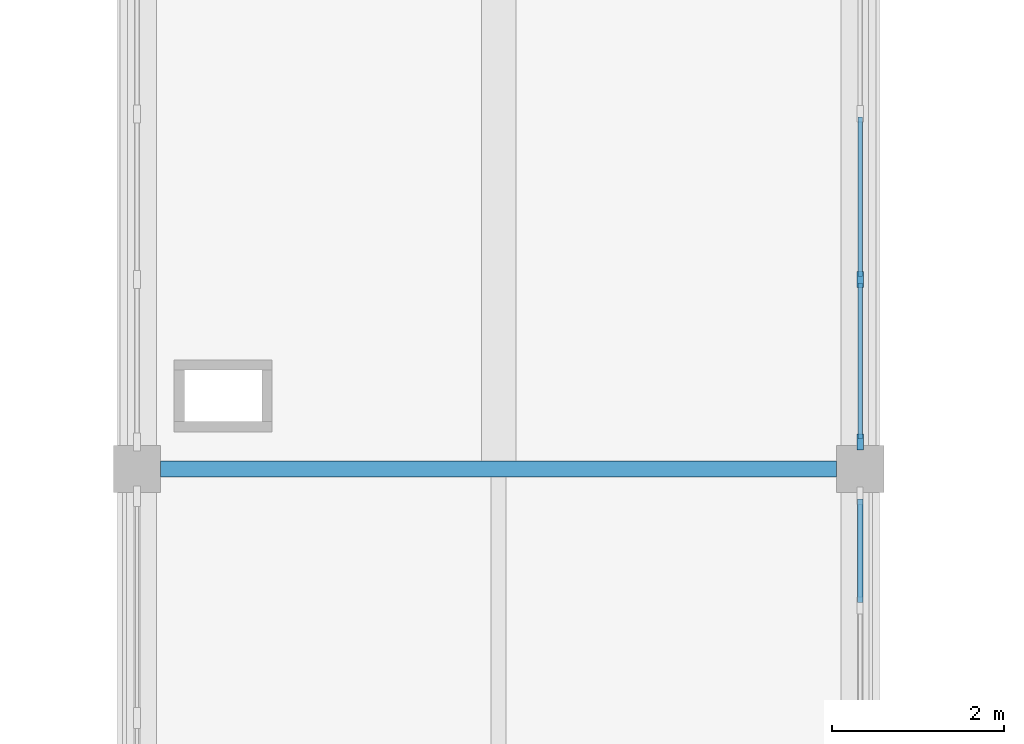
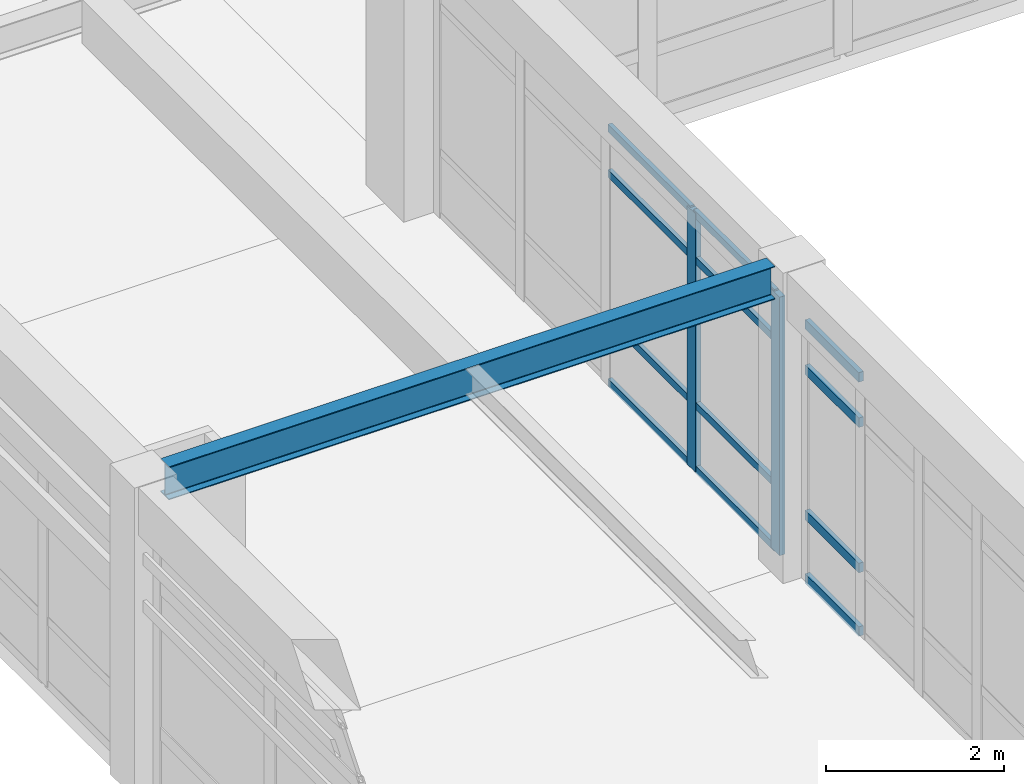
# One storey, part 25 of 78: 14 members, 1 beam, 2 elements without a shape of their own.
"""IFC4 building model written with IfcOpenShell, lengths in metres."""

from ifc_helpers import new_model, si_unit, direction, frame, origin, origin_2d, place, context, subcontext, project, spatial, rectangle, i_section, extrude, material, layer, layer_set, material_profile, profile_set, type_object, element, aggregate, save


model = new_model("IFC4")

# Units and contexts
model_context = context("Model", 3, precision=1e-05, world=origin(), true_north=direction((0.0, 1.0)))
body_context = subcontext(model_context, "Body", "Model", "MODEL_VIEW")
ifc_project = project(units=[si_unit("LENGTHUNIT", "METRE"), si_unit("AREAUNIT", "SQUARE_METRE"), si_unit("VOLUMEUNIT", "CUBIC_METRE"), si_unit("PLANEANGLEUNIT", "RADIAN"), si_unit("MASSUNIT", "GRAM", prefix="KILO")], contexts=[model_context])

# Site, building, storey
site_placement = place(None, origin())
site = spatial("IfcSite", under=ifc_project, at=site_placement, CompositionType="ELEMENT")
building_placement = place(site_placement, origin())
building = spatial("IfcBuilding", under=site, at=building_placement, Name="Porcellanite Civic Hall", CompositionType="ELEMENT")
storey_placement = place(building_placement, frame((0.0, 0.0, 10.260009765625)))
storey = spatial("IfcBuildingStorey", under=building, at=storey_placement, Name="L02", CompositionType="ELEMENT", Elevation=10.260009765625)

# Curtain wall, members
ifc_material_1 = material(Name="Anodised aluminium and solar laminated glass", Category="aluminium")
ifc_layer_1 = layer(ifc_material_1, 0.179931640625)
ifc_layer_set_1 = layer_set([ifc_layer_1], Name="Anodised aluminium and solar laminated glass")
curtain_wall_type_1 = type_object("IfcCurtainWallType", Name="CW-SYS04", PredefinedType="NOTDEFINED", material=ifc_layer_set_1)
curtain_wall_1_placement = place(storey_placement, origin())
curtain_wall_1 = element("IfcCurtainWall", 1, at=curtain_wall_1_placement, inside=storey, type_object=curtain_wall_type_1, Name="Curtain wall CW-169", PredefinedType="NOTDEFINED")
ifc_material_2 = material(Name="Anodised aluminium 6063-T6", Category="aluminium")
ifc_material_profile_1 = material_profile(ifc_material_2, rectangle(XDim=0.074951171875, YDim=0.18994140625, at=origin_2d()), Name="AL-75x190")
ifc_profile_set_1 = profile_set([ifc_material_profile_1], Name="Anodised aluminium 6063-T6")
member_type_1 = type_object("IfcMemberType", Name="CWM-04", PredefinedType="MULLION", material=ifc_profile_set_1)
member_1_placement = place(storey_placement, frame((126.0, 94.6005859375, 0.0), z_axis=(0.0, 0.0, 1.0), x_axis=(1.0, 0.0, 0.0)))
member_1 = element("IfcMember", 2, at=member_1_placement, type_object=member_type_1, Name="CW-169 mullion 4", PredefinedType="MULLION", context=body_context, shape_type="SweptSolid", body=[
    extrude(rectangle(XDim=0.074951171875, YDim=0.18994140625, at=origin_2d()), origin(), (0.0, 0.0, 1.0), 3.5400390625),
])
member_2_placement = place(storey_placement, frame((126.0, 92.71337890625, 0.0), z_axis=(0.0, 0.0, 1.0), x_axis=(1.0, 0.0, 0.0)))
member_2 = element("IfcMember", 3, at=member_2_placement, type_object=member_type_1, Name="CW-169 mullion 5", PredefinedType="MULLION", context=body_context, shape_type="SweptSolid", body=[
    extrude(rectangle(XDim=0.074951171875, YDim=0.18994140625, at=origin_2d()), origin(), (0.0, 0.0, 1.0), 3.5400390625),
])

ifc_material_3 = material(Name="Anodised aluminium and solar laminated glass", Category="aluminium")
ifc_layer_2 = layer(ifc_material_3, 0.179931640625)
ifc_layer_set_2 = layer_set([ifc_layer_2], Name="Anodised aluminium and solar laminated glass")
curtain_wall_type_2 = type_object("IfcCurtainWallType", Name="CW-SYS01", PredefinedType="NOTDEFINED", material=ifc_layer_set_2)
curtain_wall_2_placement = place(storey_placement, origin())
curtain_wall_2 = element("IfcCurtainWall", 4, at=curtain_wall_2_placement, inside=storey, type_object=curtain_wall_type_2, Name="Curtain wall CW-167", PredefinedType="NOTDEFINED")
ifc_material_4 = material(Name="Anodised aluminium 6063-T6", Category="aluminium")
ifc_material_profile_2 = material_profile(ifc_material_4, rectangle(XDim=0.06005859375, YDim=0.1298828125, at=origin_2d()), Name="AL-60x130")
ifc_profile_set_2 = profile_set([ifc_material_profile_2], Name="Anodised aluminium 6063-T6")
member_type_2 = type_object("IfcMemberType", Name="CWT-03", PredefinedType="USERDEFINED", material=ifc_profile_set_2)
member_3_placement = place(storey_placement, frame((126.0, 92.053955078125, 0.030029296875), z_axis=(0.0, -1.0, 0.0), x_axis=(1.0, 0.0, 0.0)))
member_3 = element("IfcMember", 5, at=member_3_placement, type_object=member_type_2, Name="CW-167 transom 1.1", ObjectType="TRANSOM", PredefinedType="USERDEFINED", context=body_context, shape_type="SweptSolid", body=[
    extrude(rectangle(XDim=0.06005859375, YDim=0.1298828125, at=origin_2d()), origin(), (0.0, 0.0, 1.0), 1.202880859375),
])
member_4_placement = place(storey_placement, frame((126.0, 92.053955078125, 0.89990234375), z_axis=(0.0, -1.0, 0.0), x_axis=(1.0, 0.0, 0.0)))
member_4 = element("IfcMember", 6, at=member_4_placement, type_object=member_type_2, Name="CW-167 transom 1.2", ObjectType="TRANSOM", PredefinedType="USERDEFINED", context=body_context, shape_type="SweptSolid", body=[
    extrude(rectangle(XDim=0.06005859375, YDim=0.1298828125, at=origin_2d()), origin(), (0.0, 0.0, 1.0), 1.202880859375),
])
member_5_placement = place(storey_placement, frame((126.0, 92.053955078125, 2.889892578125), z_axis=(0.0, -1.0, 0.0), x_axis=(1.0, 0.0, 0.0)))
member_5 = element("IfcMember", 7, at=member_5_placement, type_object=member_type_2, Name="CW-167 transom 1.3", ObjectType="TRANSOM", PredefinedType="USERDEFINED", context=body_context, shape_type="SweptSolid", body=[
    extrude(rectangle(XDim=0.06005859375, YDim=0.1298828125, at=origin_2d()), origin(), (0.0, 0.0, 1.0), 1.202880859375),
])
member_6_placement = place(storey_placement, frame((126.0, 92.053955078125, 3.510009765625), z_axis=(0.0, -1.0, 0.0), x_axis=(1.0, 0.0, 0.0)))
member_6 = element("IfcMember", 8, at=member_6_placement, type_object=member_type_2, Name="CW-167 transom 1.4", ObjectType="TRANSOM", PredefinedType="USERDEFINED", context=body_context, shape_type="SweptSolid", body=[
    extrude(rectangle(XDim=0.06005859375, YDim=0.1298828125, at=origin_2d()), origin(), (0.0, 0.0, 1.0), 1.202880859375),
])
aggregate(curtain_wall_2, [member_3, member_4, member_5, member_6])

# Member
ifc_material_5 = material(Name="Anodised aluminium 6063-T6", Category="aluminium")
ifc_material_profile_3 = material_profile(ifc_material_5, rectangle(XDim=0.054931640625, YDim=0.10009765625, at=origin_2d()), Name="AL-55x100")
ifc_profile_set_3 = profile_set([ifc_material_profile_3], Name="Anodised aluminium 6063-T6")
member_type_3 = type_object("IfcMemberType", Name="CWT-05", PredefinedType="USERDEFINED", material=ifc_profile_set_3)
member_7_placement = place(storey_placement, frame((126.0, 96.487548828125, 0.027587890625), z_axis=(0.0, -1.0, 0.0), x_axis=(1.0, 0.0, 0.0)))
member_7 = element("IfcMember", 9, at=member_7_placement, type_object=member_type_3, Name="CW-169 transom 3.1", ObjectType="TRANSOM", PredefinedType="USERDEFINED", context=body_context, shape_type="SweptSolid", body=[
    extrude(rectangle(XDim=0.054931640625, YDim=0.10009765625, at=origin_2d()), origin(), (0.0, 0.0, 1.0), 1.849609375),
])

member_8_placement = place(storey_placement, frame((126.0, 96.487548828125, 0.89990234375), z_axis=(0.0, -1.0, 0.0), x_axis=(1.0, 0.0, 0.0)))
member_8 = element("IfcMember", 10, at=member_8_placement, type_object=member_type_3, Name="CW-169 transom 3.2", ObjectType="TRANSOM", PredefinedType="USERDEFINED", context=body_context, shape_type="SweptSolid", body=[
    extrude(rectangle(XDim=0.054931640625, YDim=0.10009765625, at=origin_2d()), origin(), (0.0, 0.0, 1.0), 1.849609375),
])

member_9_placement = place(storey_placement, frame((126.0, 96.487548828125, 2.889892578125), z_axis=(0.0, -1.0, 0.0), x_axis=(1.0, 0.0, 0.0)))
member_9 = element("IfcMember", 11, at=member_9_placement, type_object=member_type_3, Name="CW-169 transom 3.3", ObjectType="TRANSOM", PredefinedType="USERDEFINED", context=body_context, shape_type="SweptSolid", body=[
    extrude(rectangle(XDim=0.054931640625, YDim=0.10009765625, at=origin_2d()), origin(), (0.0, 0.0, 1.0), 1.849609375),
])

member_10_placement = place(storey_placement, frame((126.0, 96.487548828125, 3.512451171875), z_axis=(0.0, -1.0, 0.0), x_axis=(1.0, 0.0, 0.0)))
member_10 = element("IfcMember", 12, at=member_10_placement, type_object=member_type_3, Name="CW-169 transom 3.4", ObjectType="TRANSOM", PredefinedType="USERDEFINED", context=body_context, shape_type="SweptSolid", body=[
    extrude(rectangle(XDim=0.054931640625, YDim=0.10009765625, at=origin_2d()), origin(), (0.0, 0.0, 1.0), 1.849609375),
])

member_11_placement = place(storey_placement, frame((126.0, 94.56298828125, 0.027587890625), z_axis=(0.0, -1.0, 0.0), x_axis=(1.0, 0.0, 0.0)))
member_11 = element("IfcMember", 13, at=member_11_placement, type_object=member_type_3, Name="CW-169 transom 4.1", ObjectType="TRANSOM", PredefinedType="USERDEFINED", context=body_context, shape_type="SweptSolid", body=[
    extrude(rectangle(XDim=0.054931640625, YDim=0.10009765625, at=origin_2d()), origin(), (0.0, 0.0, 1.0), 1.81201171875),
])

member_12_placement = place(storey_placement, frame((126.0, 94.56298828125, 0.89990234375), z_axis=(0.0, -1.0, 0.0), x_axis=(1.0, 0.0, 0.0)))
member_12 = element("IfcMember", 14, at=member_12_placement, type_object=member_type_3, Name="CW-169 transom 4.2", ObjectType="TRANSOM", PredefinedType="USERDEFINED", context=body_context, shape_type="SweptSolid", body=[
    extrude(rectangle(XDim=0.054931640625, YDim=0.10009765625, at=origin_2d()), origin(), (0.0, 0.0, 1.0), 1.81201171875),
])

member_13_placement = place(storey_placement, frame((126.0, 94.56298828125, 2.889892578125), z_axis=(0.0, -1.0, 0.0), x_axis=(1.0, 0.0, 0.0)))
member_13 = element("IfcMember", 15, at=member_13_placement, type_object=member_type_3, Name="CW-169 transom 4.3", ObjectType="TRANSOM", PredefinedType="USERDEFINED", context=body_context, shape_type="SweptSolid", body=[
    extrude(rectangle(XDim=0.054931640625, YDim=0.10009765625, at=origin_2d()), origin(), (0.0, 0.0, 1.0), 1.81201171875),
])

member_14_placement = place(storey_placement, frame((126.0, 94.56298828125, 3.512451171875), z_axis=(0.0, -1.0, 0.0), x_axis=(1.0, 0.0, 0.0)))
member_14 = element("IfcMember", 16, at=member_14_placement, type_object=member_type_3, Name="CW-169 transom 4.4", ObjectType="TRANSOM", PredefinedType="USERDEFINED", context=body_context, shape_type="SweptSolid", body=[
    extrude(rectangle(XDim=0.054931640625, YDim=0.10009765625, at=origin_2d()), origin(), (0.0, 0.0, 1.0), 1.81201171875),
])

aggregate(curtain_wall_1, [member_1, member_2, member_7, member_8, member_9, member_10, member_11, member_12, member_13, member_14])

# Beam
ifc_material_6 = material(Name="Steel Grade 350", Category="steel")
ifc_material_profile_4 = material_profile(ifc_material_6, i_section(OverallWidth=0.18994140625, OverallDepth=0.4541015625, WebThickness=0.008544921875, FlangeThickness=0.0126953125, FilletRadius=0.011474609375, at=origin_2d()), Name="460UB67.1")
ifc_profile_set_4 = profile_set([ifc_material_profile_4], Name="Steel Grade 350")
beam_type = type_object("IfcBeamType", Name="RAF-460UB67", PredefinedType="BEAM", material=ifc_profile_set_4)
beam_placement = place(storey_placement, frame((117.87451171875, 92.39990234375, 4.012939453125), z_axis=(1.0, 0.0, 0.0), x_axis=(0.0, 1.0, 0.0)))
element("IfcBeam", 17, at=beam_placement, inside=storey, type_object=beam_type, Name="Beam X L02 15-12", PredefinedType="BEAM", context=body_context, shape_type="SweptSolid", body=[
    extrude(i_section(OverallWidth=0.18994140625, OverallDepth=0.4541015625, WebThickness=0.008544921875, FlangeThickness=0.0126953125, FilletRadius=0.011474609375, at=origin_2d()), origin(), (0.0, 0.0, 1.0), 7.85107421875),
])

save(model, "model.ifc")
